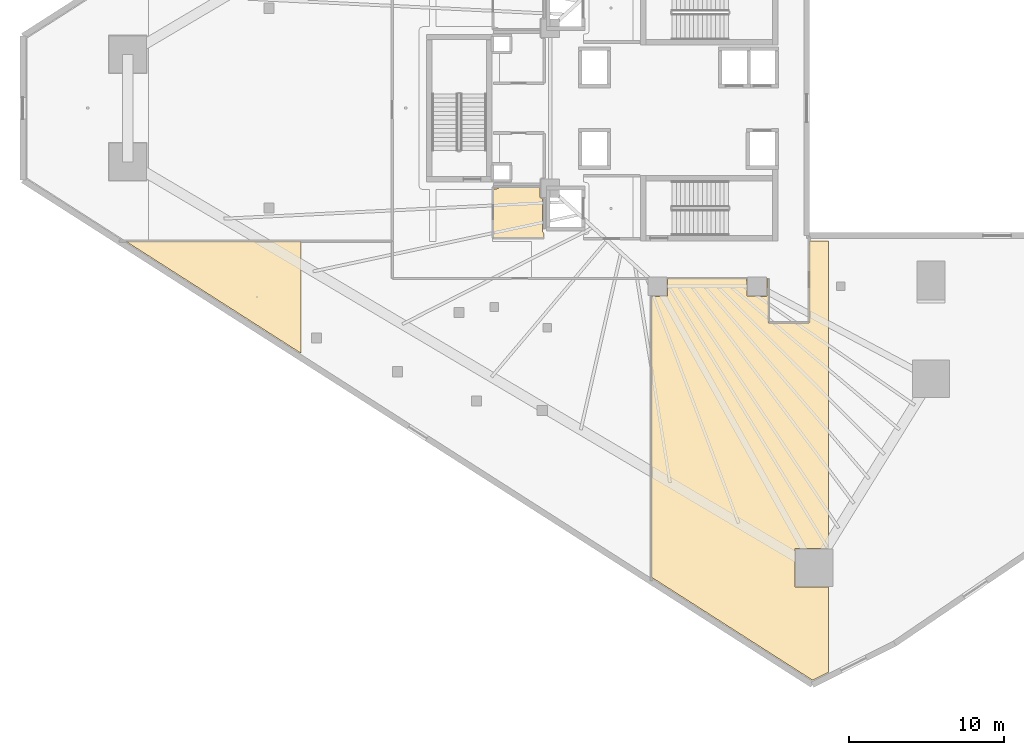
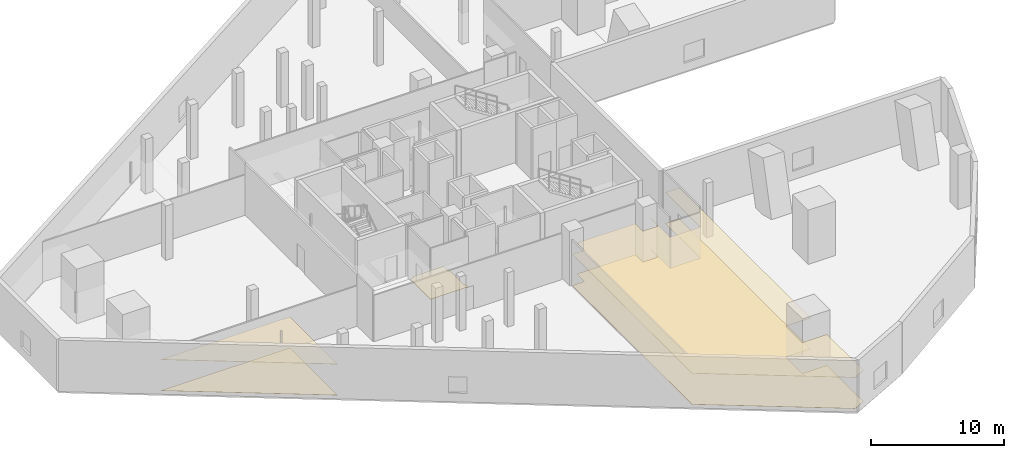
# One storey, part 39 of 47: 5 coverings.
"""IFC4 building model written with IfcOpenShell, lengths in metres."""

from ifc_helpers import new_model, si_unit, direction, frame, origin, place, context, subcontext, project, spatial, polyline, outline, extrude, material, layer, layer_set, type_object, element, save


model = new_model("IFC4")

# Units and contexts
model_context = context("Model", 3, precision=1e-05, world=origin(), true_north=direction((0.0, 1.0)))
body_context = subcontext(model_context, "Body", "Model", "MODEL_VIEW")
ifc_project = project(units=[si_unit("LENGTHUNIT", "METRE"), si_unit("AREAUNIT", "SQUARE_METRE"), si_unit("VOLUMEUNIT", "CUBIC_METRE"), si_unit("PLANEANGLEUNIT", "RADIAN"), si_unit("MASSUNIT", "GRAM", prefix="KILO")], contexts=[model_context])

# Site, building, storey
site_placement = place(None, origin())
site = spatial("IfcSite", under=ifc_project, at=site_placement, CompositionType="ELEMENT")
building_placement = place(site_placement, origin())
building = spatial("IfcBuilding", under=site, at=building_placement, Name="Qorvath Tower", CompositionType="ELEMENT")
storey_placement = place(building_placement, frame((0.0, 0.0, 12.0)))
storey = spatial("IfcBuildingStorey", under=building, at=storey_placement, Name="L02", CompositionType="ELEMENT", Elevation=12.0)

# Coverings
ifc_material_1 = material(Name="Acoustic mineral fibre ceiling tile", Category="gypsum")
ifc_layer_1 = layer(ifc_material_1, 0.030029296875)
ifc_layer_set_1 = layer_set([ifc_layer_1], Name="COV-CEIL")
covering_type_1 = type_object("IfcCoveringType", Name="COV-CEIL", PredefinedType="CEILING", material=ifc_layer_set_1)
covering_1_placement = place(storey_placement, frame((0.0, 0.0, 2.85009765625)))
element("IfcCovering", 1, at=covering_1_placement, inside=storey, type_object=covering_type_1, Name="L02 Suspended Acoustic Ceiling 011", PredefinedType="CEILING", context=body_context, shape_type="SweptSolid", body=[
    extrude(outline(polyline([(-12.600830078125, -36.2919921875), (-12.600830078125, -30.810546875), (-14.762451171875, -30.810546875), (-14.762451171875, -28.32568359375), (-12.600830078125, -28.32568359375), (-12.600830078125, -8.554931640625), (-13.8369140625, -8.554931640625), (-13.842041015625, -13.81298828125), (-16.46142578125, -13.8115234375), (-16.462890625, -10.962890625), (-16.5400390625, -10.962890625), (-16.5400390625, -12.050048828125), (-16.60009765625, -12.110107421875), (-17.842529296875, -12.092529296875), (-17.860107421875, -10.962890625), (-22.93994140625, -10.962890625), (-22.95751953125, -12.092529296875), (-23.9951171875, -12.110107421875), (-23.9951171875, -30.17041015625), (-13.619873046875, -36.801513671875), (-12.600830078125, -36.2919921875)])), origin(), (0.0, 0.0, 1.0), 0.030029296875),
])
covering_2_placement = place(storey_placement, frame((0.0, 0.0, 2.85009765625)))
element("IfcCovering", 2, at=covering_2_placement, inside=storey, type_object=covering_type_1, Name="L02 Suspended Acoustic Ceiling 012", PredefinedType="CEILING", context=body_context, shape_type="SweptSolid", body=[
    extrude(outline(polyline([(-57.815185546875, -8.554931640625), (-46.5478515625, -15.75634765625), (-46.5478515625, -8.554931640625), (-57.815185546875, -8.554931640625)])), origin(), (0.0, 0.0, 1.0), 0.030029296875),
])
ifc_material_2 = material(Name="Low-VOC modular carpet tile", Category="textile")
ifc_layer_2 = layer(ifc_material_2, 0.014892578125)
ifc_layer_set_2 = layer_set([ifc_layer_2], Name="COV-FLOOR-CPT")
covering_type_2 = type_object("IfcCoveringType", Name="COV-FLOOR-CPT", PredefinedType="FLOORING", material=ifc_layer_set_2)
covering_3_placement = place(storey_placement, origin())
element("IfcCovering", 3, at=covering_3_placement, inside=storey, type_object=covering_type_2, Name="L02 Floor Finish 011", PredefinedType="FLOORING", context=body_context, shape_type="SweptSolid", body=[
    extrude(outline(polyline([(-12.600830078125, -36.2919921875), (-12.600830078125, -30.810546875), (-14.762451171875, -30.810546875), (-14.762451171875, -28.32568359375), (-12.600830078125, -28.32568359375), (-12.600830078125, -8.554931640625), (-13.8369140625, -8.554931640625), (-13.842041015625, -13.81298828125), (-16.46142578125, -13.8115234375), (-16.462890625, -10.962890625), (-16.5400390625, -10.962890625), (-16.5400390625, -12.050048828125), (-16.60009765625, -12.110107421875), (-17.842529296875, -12.092529296875), (-17.860107421875, -10.962890625), (-22.93994140625, -10.962890625), (-22.95751953125, -12.092529296875), (-23.9951171875, -12.110107421875), (-23.9951171875, -30.17041015625), (-13.619873046875, -36.801513671875), (-12.600830078125, -36.2919921875)])), origin(), (0.0, 0.0, 1.0), 0.014892578125),
])
covering_4_placement = place(storey_placement, origin())
element("IfcCovering", 4, at=covering_4_placement, inside=storey, type_object=covering_type_2, Name="L02 Floor Finish 012", PredefinedType="FLOORING", context=body_context, shape_type="SweptSolid", body=[
    extrude(outline(polyline([(-57.815185546875, -8.554931640625), (-46.5478515625, -15.75634765625), (-46.5478515625, -8.554931640625), (-57.815185546875, -8.554931640625)])), origin(), (0.0, 0.0, 1.0), 0.014892578125),
])
ifc_material_3 = material(Name="Polished epoxy terrazzo flooring", Category="concrete")
ifc_layer_3 = layer(ifc_material_3, 0.02001953125)
ifc_layer_set_3 = layer_set([ifc_layer_3], Name="COV-FLOOR-TRZ")
covering_type_3 = type_object("IfcCoveringType", Name="COV-FLOOR-TRZ", PredefinedType="FLOORING", material=ifc_layer_set_3)
covering_5_placement = place(storey_placement, origin())
element("IfcCovering", 5, at=covering_5_placement, inside=storey, type_object=covering_type_3, Name="L02 Floor Finish 005", PredefinedType="FLOORING", context=body_context, shape_type="SweptSolid", body=[
    extrude(outline(polyline([(-31.159912109375, -5.054931640625), (-33.786865234375, -5.054931640625), (-33.833251953125, -5.166748046875), (-34.175048828125, -5.239990234375), (-34.175048828125, -8.344970703125), (-30.885009765625, -8.344970703125), (-30.885009765625, -8.108154296875), (-31.010009765625, -7.909912109375), (-31.010009765625, -5.81005859375), (-31.159912109375, -5.75), (-31.159912109375, -5.054931640625)])), origin(), (0.0, 0.0, 1.0), 0.014892578125),
])

save(model, "model.ifc")
